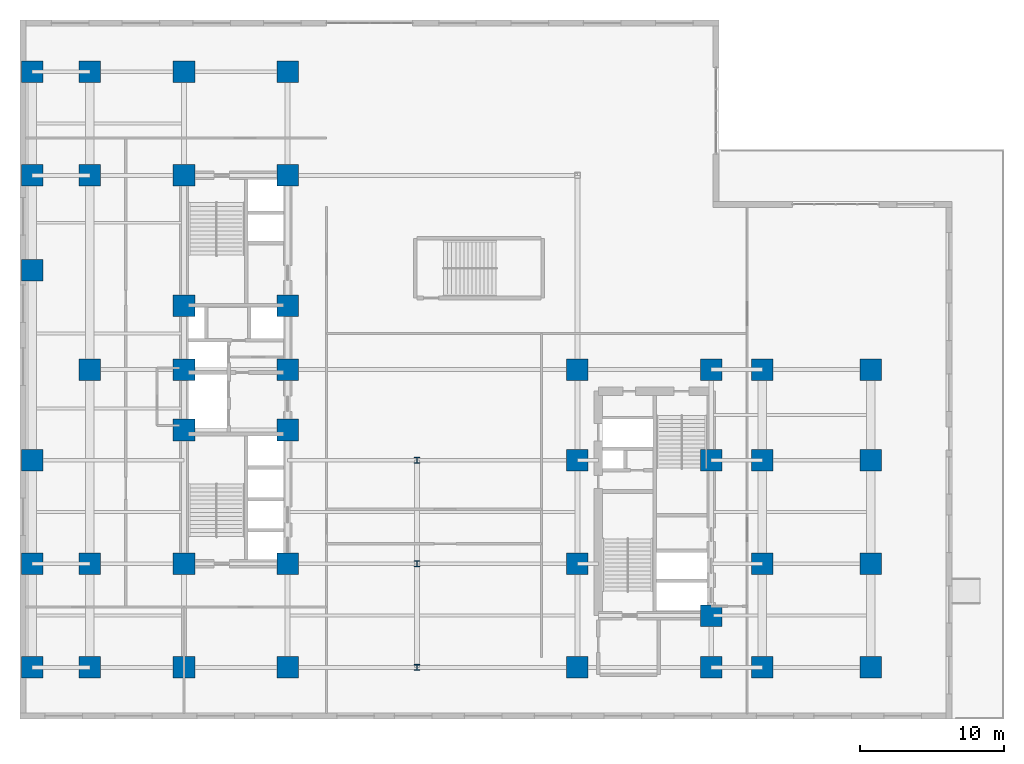
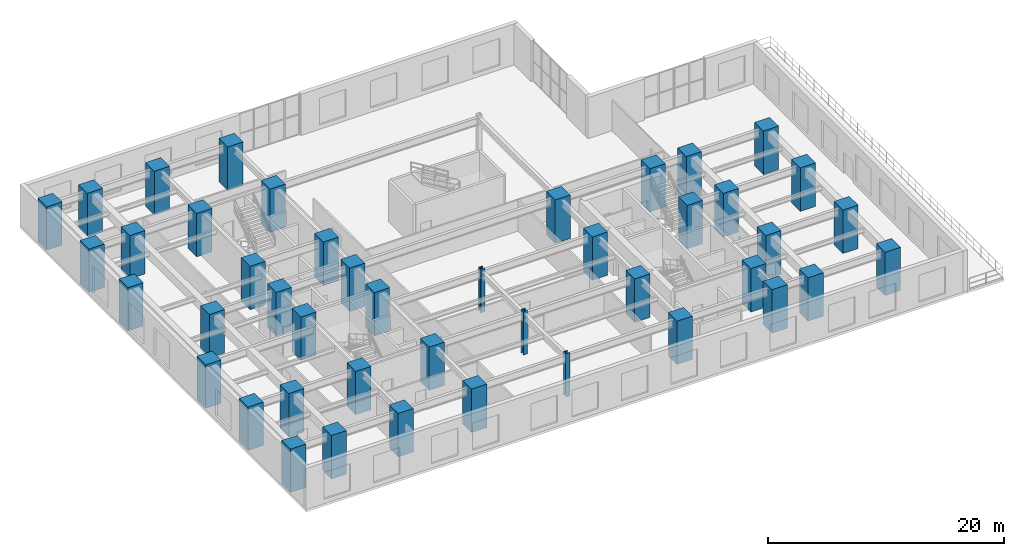
# One storey, part 1 of 15: 44 columns.
"""IFC4 building model written with IfcOpenShell, lengths in metres."""

import ifcopenshell
import ifcopenshell.guid

model = None  # the IFC model being written
_history = None  # IfcOwnerHistory: only IFC2X3 demands one
_inside = {}  # id of a spatial element -> (the spatial element, [elements in it])
_under = {}  # id of a project, library or spatial element -> (it, [spatial elements below it])
_declared = {}  # id of a project -> (the project, [libraries it declares])
_typed = {}  # id of a type object -> (the type object, [elements of that type])
_made_of = {}  # id of a material, layer set ... -> (it, [elements and type objects made of it])


def new_model(schema):
    """Start an empty IFC model of exactly this schema.

    Asked for "IFC4X3", IfcOpenShell would pick the latest addendum, in which some entities
    have other attributes; the version numbers below select the first issue.
    IFC2X3 requires an IfcOwnerHistory on every rooted entity: one is made here for all.
    """
    global model, _history
    if schema == "IFC4X3":
        model = ifcopenshell.file(schema_version=(4, 3, 0, 0))
    else:
        model = ifcopenshell.file(schema=schema)
    _inside.clear()
    _under.clear()
    _declared.clear()
    _typed.clear()
    _made_of.clear()
    _history = None
    if model.schema == "IFC2X3":
        org = make("IfcOrganization", Name="unknown")
        user = make(
            "IfcPersonAndOrganization",
            ThePerson=make("IfcPerson", FamilyName="unknown"),
            TheOrganization=org,
        )
        app = make(
            "IfcApplication",
            ApplicationDeveloper=org,
            Version="unknown",
            ApplicationFullName="unknown",
            ApplicationIdentifier="unknown",
        )
        _history = make(
            "IfcOwnerHistory",
            OwningUser=user,
            OwningApplication=app,
            ChangeAction="ADDED",
            CreationDate=0,
        )
    return model


def make(cls, **values):
    """One entity of the class cls with the attributes given. An attribute that is None is left unset."""
    return model.create_entity(
        cls, **{name: value for name, value in values.items() if value is not None}
    )


def entity(cls, *values):
    """Any entity or typed value of the class cls, its attributes in the order of the schema. None: left unset."""
    e = model.create_entity(cls)
    for i, value in enumerate(values):
        if value is not None:
            e[i] = value
    return e


def rooted(cls, **values):
    """An entity with a GlobalId (a new one), such as an element, a storey or a relation."""
    return make(cls, GlobalId=ifcopenshell.guid.new(), OwnerHistory=_history, **values)


def si_unit(unit_type, name, prefix=None):
    """IfcSIUnit, for example si_unit("LENGTHUNIT", "METRE", prefix="MILLI")."""
    return make("IfcSIUnit", UnitType=unit_type, Prefix=prefix, Name=name)


def converted_unit(unit_type, name, factor, base, dimensions=None, offset=None):
    """IfcConversionBasedUnit, such as the inch: factor (a typed value) times the base unit."""
    return make(
        "IfcConversionBasedUnit"
        if offset is None
        else "IfcConversionBasedUnitWithOffset",
        ConversionOffset=offset,
        Dimensions=None
        if dimensions is None
        else entity("IfcDimensionalExponents", *dimensions),
        UnitType=unit_type,
        Name=name,
        ConversionFactor=make(
            "IfcMeasureWithUnit", ValueComponent=factor, UnitComponent=base
        ),
    )


def assignment(units):
    """IfcUnitAssignment: the units of a project."""
    return None if units is None else make("IfcUnitAssignment", Units=units)


def point(xyz):
    """IfcCartesianPoint."""
    return None if xyz is None else make("IfcCartesianPoint", Coordinates=xyz)


def direction(xyz):
    """IfcDirection."""
    return None if xyz is None else make("IfcDirection", DirectionRatios=xyz)


def frame(location, z_axis=None, x_axis=None):
    """IfcAxis2Placement3D, a coordinate frame: its origin and axes. An axis left out is left unset."""
    return make(
        "IfcAxis2Placement3D",
        Location=point(location),
        Axis=direction(z_axis),
        RefDirection=direction(x_axis),
    )


def frame_2d(location, x_axis=None):
    """IfcAxis2Placement2D, a coordinate frame in the plane: its origin and x axis."""
    return make(
        "IfcAxis2Placement2D", Location=point(location), RefDirection=direction(x_axis)
    )


def origin_with_axes():
    """The frame at (0, 0, 0) with the z axis (0, 0, 1) and the x axis (1, 0, 0) written out."""
    return frame((0.0, 0.0, 0.0), z_axis=(0.0, 0.0, 1.0), x_axis=(1.0, 0.0, 0.0))


def origin_2d_with_axis():
    """The frame at (0, 0) in the plane with the x axis (1, 0) written out."""
    return frame_2d((0.0, 0.0), x_axis=(1.0, 0.0))


def place(relative_to, where):
    """IfcLocalPlacement: puts the frame where relative to a parent placement (None: the world)."""
    return make(
        "IfcLocalPlacement", PlacementRelTo=relative_to, RelativePlacement=where
    )


def context(
    kind, dimensions, precision=None, world=None, true_north=None, identifier=None
):
    """IfcGeometricRepresentationContext, for example the 3D "Model" context."""
    return make(
        "IfcGeometricRepresentationContext",
        ContextIdentifier=identifier,
        ContextType=kind,
        CoordinateSpaceDimension=dimensions,
        Precision=precision,
        WorldCoordinateSystem=world,
        TrueNorth=true_north,
    )


def subcontext(parent, identifier, kind, view, scale=None):
    """IfcGeometricRepresentationSubContext, for example "Body" below "Model"."""
    return make(
        "IfcGeometricRepresentationSubContext",
        ContextIdentifier=identifier,
        ContextType=kind,
        ParentContext=parent,
        TargetScale=scale,
        TargetView=view,
    )


def project(units=None, contexts=None):
    """IfcProject with its units and contexts."""
    return rooted(
        "IfcProject",
        Name="project",
        RepresentationContexts=contexts,
        UnitsInContext=assignment(units),
    )


def spatial(cls, under=None, at=None, **own):
    """A site, building, storey or space (cls), placed at a placement, below another one or the project."""
    s = rooted(cls, ObjectPlacement=at, **own)
    if under is not None:
        _under.setdefault(under.id(), (under, []))[1].append(s)
    return s


def profile(cls, at=None, kind="AREA", **sizes):
    """A parametric profile (cls). Its sizes go by their IFC names, for example OverallWidth=200.0."""
    return make(cls, ProfileType=kind, Position=at, **sizes)


def rectangle(**sizes):
    """IfcRectangleProfileDef."""
    return profile("IfcRectangleProfileDef", **sizes)


def i_section(**sizes):
    """IfcIShapeProfileDef."""
    return profile("IfcIShapeProfileDef", **sizes)


def extrude(swept, where, along, depth):
    """IfcExtrudedAreaSolid: the profile swept, set in the frame where, extruded along a direction by depth."""
    return make(
        "IfcExtrudedAreaSolid",
        SweptArea=swept,
        Position=where,
        ExtrudedDirection=direction(along),
        Depth=depth,
    )


def shape(context_of_items, identifier, shape_type, items):
    """IfcShapeRepresentation: the items that make up one representation, for example the "Body"."""
    return make(
        "IfcShapeRepresentation",
        ContextOfItems=context_of_items,
        RepresentationIdentifier=identifier,
        RepresentationType=shape_type,
        Items=items,
    )


def material(Name=None, Category=None):
    """IfcMaterial."""
    return make("IfcMaterial", Name=Name, Category=Category)


def material_profile(
    of_material, cross_section, Name=None, Category=None, Priority=None
):
    """IfcMaterialProfile: a cross section and its material."""
    return make(
        "IfcMaterialProfile",
        Name=Name,
        Material=of_material,
        Profile=cross_section,
        Priority=Priority,
        Category=Category,
    )


def profile_set(profiles, Name=None, composite=None):
    """IfcMaterialProfileSet."""
    return make(
        "IfcMaterialProfileSet",
        Name=Name,
        MaterialProfiles=profiles,
        CompositeProfile=composite,
    )


def made_of(thing, what):
    """Note that an element or type object is made of a material, layer set ...; save() writes the relation."""
    if what is not None:
        _made_of.setdefault(what.id(), (what, []))[1].append(thing)
    return thing


def type_object(cls, material=None, **own):
    """A type object (cls), such as IfcWallType, which elements share."""
    return made_of(rooted(cls, **own), material)


def element(
    cls,
    number,
    at=None,
    inside=None,
    cuts=None,
    type_object=None,
    material=None,
    context=None,
    identifier="Body",
    shape_type=None,
    held_by="IfcProductDefinitionShape",
    body=None,
    shapes=None,
    **own,
):
    """One element of the class cls, such as IfcWall. Its Tag is "e" and its number.

    at: its placement. inside: the storey or other place that contains it. cuts: it is an
    opening in that element (IfcRelVoidsElement). A single representation is given by context,
    identifier, shape_type and body (its items); several are given by shapes. held_by: the class
    of the entity that holds the representations. save() writes the other relations.
    """
    e = rooted(cls, Tag="e%d" % number, ObjectPlacement=at, **own)
    if body is not None:
        shapes = [shape(context, identifier, shape_type, body)]
    if shapes is not None:
        e.Representation = make(held_by, Representations=shapes)
    if inside is not None:
        _inside.setdefault(inside.id(), (inside, []))[1].append(e)
    if cuts is not None:
        rooted(
            "IfcRelVoidsElement", RelatingBuildingElement=cuts, RelatedOpeningElement=e
        )
    if type_object is not None:
        _typed.setdefault(type_object.id(), (type_object, []))[1].append(e)
    return made_of(e, material)


def aggregate(whole, parts):
    """IfcRelAggregates: a whole, such as a stair, and the parts it consists of."""
    return rooted("IfcRelAggregates", RelatingObject=whole, RelatedObjects=parts)


def save(model, path):
    """Write the relations noted so far, then the file.

    IfcRelAggregates (storeys below a building ...), IfcRelContainedInSpatialStructure (elements
    in a storey), IfcRelDefinesByType, IfcRelAssociatesMaterial and IfcRelDeclares: one each for
    every whole, place, type object, material and project.
    """
    for whole, parts in _under.values():
        aggregate(whole, parts)
    for where, things in _inside.values():
        rooted(
            "IfcRelContainedInSpatialStructure",
            RelatedElements=things,
            RelatingStructure=where,
        )
    for kind, things in _typed.values():
        rooted("IfcRelDefinesByType", RelatedObjects=things, RelatingType=kind)
    for what, things in _made_of.values():
        rooted("IfcRelAssociatesMaterial", RelatedObjects=things, RelatingMaterial=what)
    for by, libraries in _declared.values():
        rooted("IfcRelDeclares", RelatingContext=by, RelatedDefinitions=libraries)
    model.write(path)


model = new_model("IFC4")

# Units and contexts
model_context = context("Model", 3, precision=1e-05, world=origin_with_axes(), true_north=direction((0.0, 1.0)))
body_context = subcontext(model_context, "Body", "Model", "MODEL_VIEW")
ifc_project = project(units=[si_unit("LENGTHUNIT", "METRE"), si_unit("AREAUNIT", "SQUARE_METRE"), si_unit("VOLUMEUNIT", "CUBIC_METRE"), converted_unit("PLANEANGLEUNIT", "DEGREE", entity("IfcPlaneAngleMeasure", 0.017453292519943295), si_unit("PLANEANGLEUNIT", "RADIAN"), dimensions=[0, 0, 0, 0, 0, 0, 0]), si_unit("MASSUNIT", "GRAM", prefix="KILO"), si_unit("THERMODYNAMICTEMPERATUREUNIT", "KELVIN")], contexts=[model_context])

# Site, building, storey
site_placement = place(None, origin_with_axes())
site = spatial("IfcSite", under=ifc_project, at=site_placement, CompositionType="ELEMENT")
building_placement = place(site_placement, origin_with_axes())
building = spatial("IfcBuilding", under=site, at=building_placement, Name="Varnlund Millrace Tower", CompositionType="ELEMENT")
storey_placement = place(building_placement, frame((0.0, 0.0, 19.8), z_axis=(0.0, 0.0, 1.0), x_axis=(1.0, 0.0, 0.0)))
storey = spatial("IfcBuildingStorey", under=building, at=storey_placement, Name="L04", CompositionType="ELEMENT", Elevation=19.8)

# Columns
ifc_material_1 = material(Name="Steel ASTM A913 Grade 65", Category="steel")
ifc_material_profile_1 = material_profile(ifc_material_1, i_section(OverallWidth=0.406, OverallDepth=0.416, WebThickness=0.0298, FlangeThickness=0.048, FilletRadius=0.022, at=origin_2d_with_axis()), Name="Steel ASTM A913 Grade 65")
ifc_profile_set_1 = profile_set([ifc_material_profile_1], Name="Steel ASTM A913 Grade 65")
column_type_1 = type_object("IfcColumnType", Name="Type-Col-Int-W14X257", PredefinedType="COLUMN", material=ifc_profile_set_1)
for number, where, z_axis, x_axis, name in (
    (1, (27.6, 3.6, 0.0), (0.0, 0.0, 1.0), (1.0, 0.0, 0.0), "Type-Col-Int-W14X257"),
    (2, (27.6, 10.8, 0.0), (0.0, 0.0, 1.0), (1.0, 0.0, 0.0), "Type-Col-Int-W14X257"),
    (3, (27.6, 18.0, 0.0), (0.0, 0.0, 1.0), (1.0, 0.0, 0.0), "Type-Col-Int-W14X257"),
):
    element("IfcColumn", number, at=place(storey_placement, frame(where, z_axis=z_axis, x_axis=x_axis)), inside=storey, type_object=column_type_1, Name=name, PredefinedType="COLUMN", context=body_context, shape_type="SweptSolid", body=[
        extrude(i_section(OverallWidth=0.406, OverallDepth=0.416, WebThickness=0.0298, FlangeThickness=0.048, FilletRadius=0.022, at=origin_2d_with_axis()), origin_with_axes(), (0.0, 0.0, 1.0), 4.5),
    ])
ifc_material_2 = material(Name="Concrete C80/95", Category="concrete")
ifc_material_profile_2 = material_profile(ifc_material_2, rectangle(XDim=1.5, YDim=1.5, at=origin_2d_with_axis()), Name="Concrete C80/95")
ifc_profile_set_2 = profile_set([ifc_material_profile_2], Name="Concrete C80/95")
column_type_2 = type_object("IfcColumnType", Name="Type-Col-RC1500-C80", PredefinedType="COLUMN", material=ifc_profile_set_2)
for number, where, z_axis, x_axis, name in (
    (4, (11.4, 3.6, 0.0), (0.0, 0.0, 1.0), (1.0, 0.0, 0.0), "Type-Col-RC1500-C80"),
    (5, (11.4, 10.8, 0.0), (0.0, 0.0, 1.0), (1.0, 0.0, 0.0), "Type-Col-RC1500-C80"),
    (6, (11.4, 20.1, 0.0), (0.0, 0.0, 1.0), (1.0, 0.0, 0.0), "Type-Col-RC1500-C80"),
    (7, (11.4, 24.3, 0.0), (0.0, 0.0, 1.0), (1.0, 0.0, 0.0), "Type-Col-RC1500-C80"),
    (8, (11.4, 28.75, 0.0), (0.0, 0.0, 1.0), (1.0, 0.0, 0.0), "Type-Col-RC1500-C80"),
    (9, (11.4, 37.8, 0.0), (0.0, 0.0, 1.0), (1.0, 0.0, 0.0), "Type-Col-RC1500-C80"),
    (10, (11.4, 45.0, 0.0), (0.0, 0.0, 1.0), (1.0, 0.0, 0.0), "Type-Col-RC1500-C80"),
    (11, (18.6, 3.6, 0.0), (0.0, 0.0, 1.0), (1.0, 0.0, 0.0), "Type-Col-RC1500-C80"),
    (12, (18.6, 10.8, 0.0), (0.0, 0.0, 1.0), (1.0, 0.0, 0.0), "Type-Col-RC1500-C80"),
    (13, (18.6, 20.1, 0.0), (0.0, 0.0, 1.0), (1.0, 0.0, 0.0), "Type-Col-RC1500-C80"),
    (14, (18.6, 24.3, 0.0), (0.0, 0.0, 1.0), (1.0, 0.0, 0.0), "Type-Col-RC1500-C80"),
    (15, (18.6, 28.75, 0.0), (0.0, 0.0, 1.0), (1.0, 0.0, 0.0), "Type-Col-RC1500-C80"),
    (16, (18.6, 37.8, 0.0), (0.0, 0.0, 1.0), (1.0, 0.0, 0.0), "Type-Col-RC1500-C80"),
    (17, (18.6, 45.0, 0.0), (0.0, 0.0, 1.0), (1.0, 0.0, 0.0), "Type-Col-RC1500-C80"),
    (18, (4.85, 3.6, 0.0), (0.0, 0.0, 1.0), (1.0, 0.0, 0.0), "Type-Col-RC1500-C80"),
    (19, (4.85, 10.8, 0.0), (0.0, 0.0, 1.0), (1.0, 0.0, 0.0), "Type-Col-RC1500-C80"),
    (20, (4.85, 24.3, 0.0), (0.0, 0.0, 1.0), (1.0, 0.0, 0.0), "Type-Col-RC1500-C80"),
    (21, (4.85, 37.8, 0.0), (0.0, 0.0, 1.0), (1.0, 0.0, 0.0), "Type-Col-RC1500-C80"),
    (22, (4.85, 45.0, 0.0), (0.0, 0.0, 1.0), (1.0, 0.0, 0.0), "Type-Col-RC1500-C80"),
    (23, (0.85, 3.6, 0.0), (0.0, 0.0, 1.0), (1.0, 0.0, 0.0), "Type-Col-RC1500-C80"),
    (24, (0.85, 10.8, 0.0), (0.0, 0.0, 1.0), (1.0, 0.0, 0.0), "Type-Col-RC1500-C80"),
    (25, (0.85, 18.0, 0.0), (0.0, 0.0, 1.0), (1.0, 0.0, 0.0), "Type-Col-RC1500-C80"),
    (26, (0.85, 31.2, 0.0), (0.0, 0.0, 1.0), (1.0, 0.0, 0.0), "Type-Col-RC1500-C80"),
    (27, (0.85, 37.8, 0.0), (0.0, 0.0, 1.0), (1.0, 0.0, 0.0), "Type-Col-RC1500-C80"),
    (28, (0.85, 45.0, 0.0), (0.0, 0.0, 1.0), (1.0, 0.0, 0.0), "Type-Col-RC1500-C80"),
    (29, (38.75, 3.6, 0.0), (0.0, 0.0, 1.0), (1.0, 0.0, 0.0), "Type-Col-RC1500-C80"),
    (30, (38.75, 10.8, 0.0), (0.0, 0.0, 1.0), (1.0, 0.0, 0.0), "Type-Col-RC1500-C80"),
    (31, (38.75, 18.0, 0.0), (0.0, 0.0, 1.0), (1.0, 0.0, 0.0), "Type-Col-RC1500-C80"),
    (32, (38.75, 24.3, 0.0), (0.0, 0.0, 1.0), (1.0, 0.0, 0.0), "Type-Col-RC1500-C80"),
    (33, (48.05, 3.6, 0.0), (0.0, 0.0, 1.0), (1.0, 0.0, 0.0), "Type-Col-RC1500-C80"),
    (34, (48.05, 7.2, 0.0), (0.0, 0.0, 1.0), (1.0, 0.0, 0.0), "Type-Col-RC1500-C80"),
    (35, (48.05, 18.0, 0.0), (0.0, 0.0, 1.0), (1.0, 0.0, 0.0), "Type-Col-RC1500-C80"),
    (36, (48.05, 24.3, 0.0), (0.0, 0.0, 1.0), (1.0, 0.0, 0.0), "Type-Col-RC1500-C80"),
    (37, (51.6, 3.6, 0.0), (0.0, 0.0, 1.0), (1.0, 0.0, 0.0), "Type-Col-RC1500-C80"),
    (38, (51.6, 10.8, 0.0), (0.0, 0.0, 1.0), (1.0, 0.0, 0.0), "Type-Col-RC1500-C80"),
    (39, (51.6, 18.0, 0.0), (0.0, 0.0, 1.0), (1.0, 0.0, 0.0), "Type-Col-RC1500-C80"),
    (40, (51.6, 24.3, 0.0), (0.0, 0.0, 1.0), (1.0, 0.0, 0.0), "Type-Col-RC1500-C80"),
    (41, (59.15, 3.6, 0.0), (0.0, 0.0, 1.0), (1.0, 0.0, 0.0), "Type-Col-RC1500-C80"),
    (42, (59.15, 10.8, 0.0), (0.0, 0.0, 1.0), (1.0, 0.0, 0.0), "Type-Col-RC1500-C80"),
    (43, (59.15, 18.0, 0.0), (0.0, 0.0, 1.0), (1.0, 0.0, 0.0), "Type-Col-RC1500-C80"),
    (44, (59.15, 24.3, 0.0), (0.0, 0.0, 1.0), (1.0, 0.0, 0.0), "Type-Col-RC1500-C80"),
):
    element("IfcColumn", number, at=place(storey_placement, frame(where, z_axis=z_axis, x_axis=x_axis)), inside=storey, type_object=column_type_2, Name=name, PredefinedType="COLUMN", context=body_context, shape_type="SweptSolid", body=[
        extrude(rectangle(XDim=1.5, YDim=1.5, at=origin_2d_with_axis()), origin_with_axes(), (0.0, 0.0, 1.0), 4.5),
    ])

save(model, "model.ifc")
